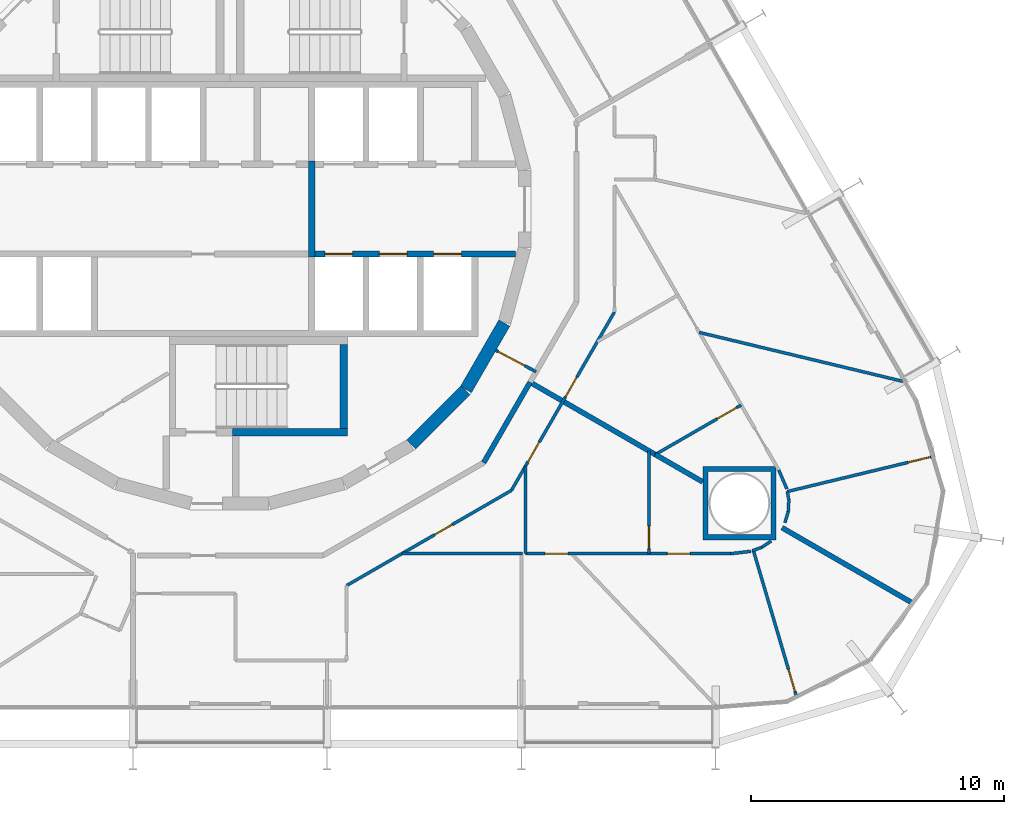
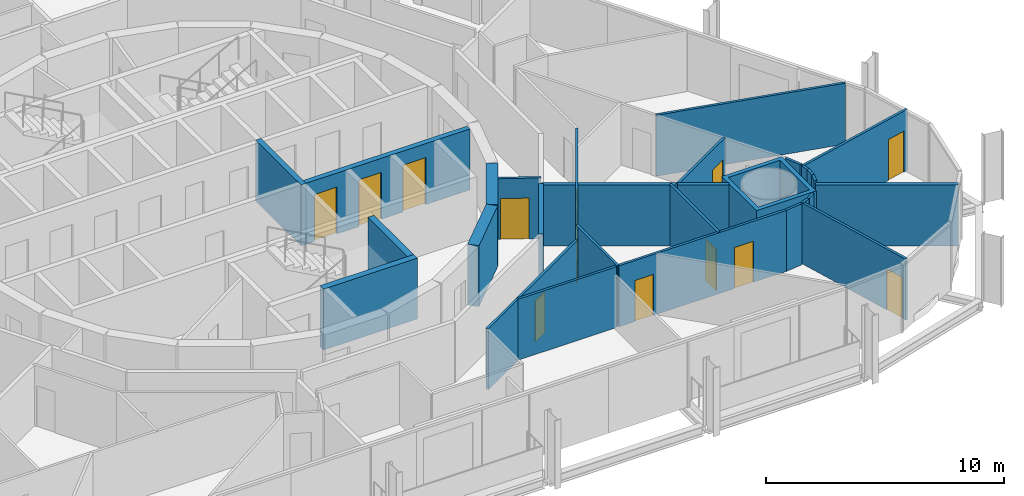
# One storey, part 16 of 21: 29 walls, 13 doors, 13 openings.
"""IFC4 building model written with IfcOpenShell, lengths in metres."""

from ifc_helpers import new_model, si_unit, direction, frame, frame_2d, origin, place, context, subcontext, project, spatial, polyline, rectangle, outline, extrude, material, layer, layer_set, type_object, element, fill, save


model = new_model("IFC4")

# Units and contexts
model_context = context("Model", 3, precision=1e-05, world=origin(), true_north=direction((0.0, 1.0)))
body_context = subcontext(model_context, "Body", "Model", "MODEL_VIEW")
ifc_project = project(units=[si_unit("LENGTHUNIT", "METRE"), si_unit("AREAUNIT", "SQUARE_METRE"), si_unit("VOLUMEUNIT", "CUBIC_METRE"), si_unit("PLANEANGLEUNIT", "RADIAN"), si_unit("MASSUNIT", "GRAM", prefix="KILO")], contexts=[model_context])

# Site, building, storey
site_placement = place(None, origin())
site = spatial("IfcSite", under=ifc_project, at=site_placement, CompositionType="ELEMENT")
building_placement = place(site_placement, origin())
building = spatial("IfcBuilding", under=site, at=building_placement, Name="Spindle Arch Residences", CompositionType="ELEMENT")
storey_placement = place(building_placement, frame((0.0, 0.0, 48.89990234375)))
storey = spatial("IfcBuildingStorey", under=building, at=storey_placement, Name="L10", CompositionType="ELEMENT", Elevation=48.89990234375)

# Walls
ifc_material_1 = material(Name="Concrete C50/60", Category="concrete")
ifc_layer_1 = layer(ifc_material_1, 0.5)
ifc_layer_set_1 = layer_set([ifc_layer_1], Name="Core outline wall 500")
wall_type_1 = type_object("IfcWallType", Name="Core outline wall 500", PredefinedType="SHEAR", material=ifc_layer_set_1)
wall_1_placement = place(storey_placement, frame((7.163818359375, -9.30810546875, 0.0), z_axis=(0.0, 0.0, 1.0), x_axis=(0.707106781187, 0.707106781187, 0.0)))
element("IfcWall", 1, at=wall_1_placement, inside=storey, type_object=wall_type_1, Name="Core outline wall 3", PredefinedType="SHEAR", context=body_context, shape_type="SweptSolid", body=[
    extrude(rectangle(XDim=3.032470703125, YDim=0.5, at=frame_2d((1.51611328125, 0.0))), origin(), (0.0, 0.0, 1.0), 3.1201171875),
])
wall_2_placement = place(storey_placement, frame((9.32861328125, -7.13671875, 0.0), z_axis=(0.0, 0.0, 1.0), x_axis=(0.500087131594, 0.865975092491, 0.0)))
element("IfcWall", 2, at=wall_2_placement, inside=storey, type_object=wall_type_1, Name="Core outline wall 4", PredefinedType="SHEAR", context=body_context, shape_type="SweptSolid", body=[
    extrude(rectangle(XDim=3.03271484375, YDim=0.5, at=frame_2d((1.516357421875, 0.0))), origin(), (0.0, 0.0, 1.0), 3.1201171875),
])

# Wall, opening, door
ifc_material_2 = material(Name="Plasterboard on steel studs", Category="steel")
ifc_layer_2 = layer(ifc_material_2, 0.1201171875)
ifc_layer_set_2 = layer_set([ifc_layer_2], Name="Corridor division wall 120")
wall_type_2 = type_object("IfcWallType", Name="Corridor division wall 120", PredefinedType="PARTITIONING", material=ifc_layer_set_2)
wall_3_placement = place(storey_placement, frame((10.510986328125, -5.5888671875, 0.0), z_axis=(0.0, 0.0, 1.0), x_axis=(0.88294043061, -0.469485032769, 0.0)))
wall_3 = element("IfcWall", 3, at=wall_3_placement, inside=storey, type_object=wall_type_2, Name="Corridor division wall R1B1-W002", PredefinedType="PARTITIONING", context=body_context, shape_type="SweptSolid", body=[
    extrude(rectangle(XDim=1.803955078125, YDim=0.1201171875, at=frame_2d((0.90185546875, 0.0))), origin(), (0.0, 0.0, 1.0), 3.1201171875),
])
opening_1_placement = place(wall_3_placement, frame((0.10009765625, 0.0, 0.0)))
opening_1 = element("IfcOpeningElement", 4, at=opening_1_placement, cuts=wall_3, Name="Opening R1B1-CD02", PredefinedType="OPENING", context=body_context, shape_type="SweptSolid", body=[
    extrude(rectangle(XDim=1.199951171875, YDim=2.10009765625, at=frame_2d((0.60009765625, 1.050048828125))), frame((0.0, 0.070068359375, 0.0), z_axis=(0.0, -1.0, 0.0), x_axis=(1.0, 0.0, 0.0)), (0.0, 0.0, 1.0), 0.14013671875),
])
ifc_material_3 = material(Name="Steel, fire-resisting door", Category="steel")
door_type_1 = type_object("IfcDoorType", Name="Corridor division door 1200x2100", OperationType="NOTDEFINED", PredefinedType="DOOR", material=ifc_material_3)
door_1_placement = place(opening_1_placement, origin())
door_1 = element("IfcDoor", 5, at=door_1_placement, inside=storey, type_object=door_type_1, Name="Corridor division door R1B1-CD02", OperationType="DOUBLE_DOOR_SINGLE_SWING", OverallHeight=2.10009765625, OverallWidth=1.199951171875, PredefinedType="DOOR", context=body_context, shape_type="SweptSolid", body=[
    extrude(rectangle(XDim=1.199951171875, YDim=2.10009765625, at=frame_2d((0.60009765625, 1.050048828125))), frame((0.0, 0.02490234375, 0.0), z_axis=(0.0, -1.0, 0.0), x_axis=(1.0, 0.0, 0.0)), (0.0, 0.0, 1.0), 0.050048828125),
])
fill(opening_1, door_1)

# Walls
ifc_material_4 = material(Name="Calcium silicate block, plastered")
ifc_layer_3 = layer(ifc_material_4, 0.199951171875)
ifc_layer_set_3 = layer_set([ifc_layer_3], Name="Corridor wall 200")
wall_type_3 = type_object("IfcWallType", Name="Corridor wall 200", PredefinedType="STANDARD", material=ifc_layer_set_3)
wall_4_placement = place(storey_placement, frame((10.029052734375, -10.029052734375, 0.0), z_axis=(0.0, 0.0, 1.0), x_axis=(0.50001606911, 0.866016126081, 0.0)))
element("IfcWall", 6, at=wall_4_placement, inside=storey, type_object=wall_type_3, Name="Corridor wall R1B1-W016", PredefinedType="STANDARD", context=body_context, shape_type="SweptSolid", body=[
    extrude(rectangle(XDim=3.6708984375, YDim=0.199951171875, at=frame_2d((1.83544921875, 0.0))), origin(), (0.0, 0.0, 1.0), 3.1201171875),
])
ifc_material_5 = material(Name="Concrete C40/50", Category="concrete")
ifc_layer_4 = layer(ifc_material_5, 0.25)
ifc_layer_set_4 = layer_set([ifc_layer_4], Name="Fire-lift lobby wall 250")
wall_type_4 = type_object("IfcWallType", Name="Fire-lift lobby wall 250", PredefinedType="SHEAR", material=ifc_layer_set_4)
wall_5_placement = place(storey_placement, frame((3.22509765625, -1.89990234375, 0.0), z_axis=(0.0, 0.0, 1.0), x_axis=(0.0, 1.0, 0.0)))
element("IfcWall", 7, at=wall_5_placement, inside=storey, type_object=wall_type_4, Name="Fire-fighting lobby partition", PredefinedType="SHEAR", context=body_context, shape_type="SweptSolid", body=[
    extrude(rectangle(XDim=3.7998046875, YDim=0.25, at=frame_2d((1.89990234375, 0.0))), origin(), (0.0, 0.0, 1.0), 3.1201171875),
])

# Wall, openings, doors
ifc_material_6 = material(Name="Concrete C50/60", Category="concrete")
ifc_layer_5 = layer(ifc_material_6, 0.25)
ifc_layer_set_5 = layer_set([ifc_layer_5], Name="Fire-lift shaft wall 250")
wall_type_5 = type_object("IfcWallType", Name="Fire-lift shaft wall 250", PredefinedType="SHEAR", material=ifc_layer_set_5)
wall_6_placement = place(storey_placement, frame((3.35009765625, -1.77490234375, 0.0), z_axis=(0.0, 0.0, 1.0), x_axis=(1.0, 0.0, 0.0)))
wall_6 = element("IfcWall", 8, at=wall_6_placement, inside=storey, type_object=wall_type_5, Name="Lift shaft front wall SE", PredefinedType="SHEAR", context=body_context, shape_type="SweptSolid", body=[
    extrude(rectangle(XDim=7.929931640625, YDim=0.25, at=frame_2d((3.96484375, 0.0))), origin(), (0.0, 0.0, 1.0), 3.1201171875),
])
opening_2_placement = place(wall_6_placement, frame((0.39990234375, 0.0, 0.0)))
opening_2 = element("IfcOpeningElement", 9, at=opening_2_placement, cuts=wall_6, Name="Opening R1B1-FLD01", PredefinedType="OPENING", context=body_context, shape_type="SweptSolid", body=[
    extrude(rectangle(XDim=1.10009765625, YDim=2.39990234375, at=frame_2d((0.550048828125, 1.199951171875))), frame((0.0, 0.135009765625, 0.0), z_axis=(0.0, -1.0, 0.0), x_axis=(1.0, 0.0, 0.0)), (0.0, 0.0, 1.0), 0.27001953125),
])
opening_3_placement = place(wall_6_placement, frame((2.550048828125, 0.0, 0.0)))
opening_3 = element("IfcOpeningElement", 10, at=opening_3_placement, cuts=wall_6, Name="Opening R1B1-FLD02", PredefinedType="OPENING", context=body_context, shape_type="SweptSolid", body=[
    extrude(rectangle(XDim=1.10009765625, YDim=2.39990234375, at=frame_2d((0.550048828125, 1.199951171875))), frame((0.0, 0.135009765625, 0.0), z_axis=(0.0, -1.0, 0.0), x_axis=(1.0, 0.0, 0.0)), (0.0, 0.0, 1.0), 0.27001953125),
])
opening_4_placement = place(wall_6_placement, frame((4.699951171875, 0.0, 0.0)))
opening_4 = element("IfcOpeningElement", 11, at=opening_4_placement, cuts=wall_6, Name="Opening R1B1-FLD03", PredefinedType="OPENING", context=body_context, shape_type="SweptSolid", body=[
    extrude(rectangle(XDim=1.10009765625, YDim=2.39990234375, at=frame_2d((0.550048828125, 1.199951171875))), frame((0.0, 0.135009765625, 0.0), z_axis=(0.0, -1.0, 0.0), x_axis=(1.0, 0.0, 0.0)), (0.0, 0.0, 1.0), 0.27001953125),
])
ifc_material_7 = material(Name="Steel, fire-resisting landing door", Category="steel")
door_type_2 = type_object("IfcDoorType", Name="Fire-fighting lift landing door 1100x2400", OperationType="DOUBLE_DOOR_SLIDING", PredefinedType="DOOR", material=ifc_material_7)
door_2_placement = place(opening_2_placement, origin())
door_2 = element("IfcDoor", 12, at=door_2_placement, inside=storey, type_object=door_type_2, Name="Fire-fighting lift landing door R1B1-FLD01", OperationType="DOUBLE_DOOR_SLIDING", OverallHeight=2.39990234375, OverallWidth=1.10009765625, PredefinedType="DOOR", context=body_context, shape_type="SweptSolid", body=[
    extrude(rectangle(XDim=1.10009765625, YDim=2.39990234375, at=frame_2d((0.550048828125, 1.199951171875))), frame((0.0, 0.02490234375, 0.0), z_axis=(0.0, -1.0, 0.0), x_axis=(1.0, 0.0, 0.0)), (0.0, 0.0, 1.0), 0.050048828125),
])
fill(opening_2, door_2)
door_3_placement = place(opening_3_placement, origin())
door_3 = element("IfcDoor", 13, at=door_3_placement, inside=storey, type_object=door_type_2, Name="Fire-fighting lift landing door R1B1-FLD02", OperationType="DOUBLE_DOOR_SLIDING", OverallHeight=2.39990234375, OverallWidth=1.10009765625, PredefinedType="DOOR", context=body_context, shape_type="SweptSolid", body=[
    extrude(rectangle(XDim=1.10009765625, YDim=2.39990234375, at=frame_2d((0.550048828125, 1.199951171875))), frame((0.0, 0.02490234375, 0.0), z_axis=(0.0, -1.0, 0.0), x_axis=(1.0, 0.0, 0.0)), (0.0, 0.0, 1.0), 0.050048828125),
])
fill(opening_3, door_3)
door_4_placement = place(opening_4_placement, origin())
door_4 = element("IfcDoor", 14, at=door_4_placement, inside=storey, type_object=door_type_2, Name="Fire-fighting lift landing door R1B1-FLD03", OperationType="DOUBLE_DOOR_SLIDING", OverallHeight=2.39990234375, OverallWidth=1.10009765625, PredefinedType="DOOR", context=body_context, shape_type="SweptSolid", body=[
    extrude(rectangle(XDim=1.10009765625, YDim=2.39990234375, at=frame_2d((0.550048828125, 1.199951171875))), frame((0.0, 0.02490234375, 0.0), z_axis=(0.0, -1.0, 0.0), x_axis=(1.0, 0.0, 0.0)), (0.0, 0.0, 1.0), 0.050048828125),
])
fill(opening_4, door_4)

# Wall, opening, door
ifc_material_8 = material(Name="Plasterboard on steel studs", Category="steel")
ifc_layer_6 = layer(ifc_material_8, 0.1201171875)
ifc_layer_set_6 = layer_set([ifc_layer_6], Name="Flat partition 120")
wall_type_6 = type_object("IfcWallType", Name="Flat partition 120", PredefinedType="PARTITIONING", material=ifc_layer_set_6)
wall_7_placement = place(storey_placement, frame((4.612548828125, -14.888427734375, 0.0), z_axis=(0.0, 0.0, 1.0), x_axis=(0.866025608725, 0.499999645032, 0.0)))
wall_7 = element("IfcWall", 15, at=wall_7_placement, inside=storey, type_object=wall_type_6, Name="Flat partition R1B1-W098", PredefinedType="PARTITIONING", context=body_context, shape_type="SweptSolid", body=[
    extrude(rectangle(XDim=7.5224609375, YDim=0.1201171875, at=frame_2d((3.76123046875, 0.0))), origin(), (0.0, 0.0, 1.0), 3.1201171875),
])
opening_5_placement = place(wall_7_placement, frame((4.01708984375, 0.0, 0.0)))
opening_5 = element("IfcOpeningElement", 16, at=opening_5_placement, cuts=wall_7, Name="Opening R1B1-BD05", PredefinedType="OPENING", context=body_context, shape_type="SweptSolid", body=[
    extrude(rectangle(XDim=0.800048828125, YDim=2.10009765625, at=frame_2d((0.39990234375, 1.050048828125))), frame((0.0, 0.070068359375, 0.0), z_axis=(0.0, -1.0, 0.0), x_axis=(1.0, 0.0, 0.0)), (0.0, 0.0, 1.0), 0.14013671875),
])
ifc_material_9 = material(Name="Timber door set", Category="wood")
door_type_3 = type_object("IfcDoorType", Name="Bathroom door 800x2100", OperationType="NOTDEFINED", PredefinedType="DOOR", material=ifc_material_9)
door_5_placement = place(opening_5_placement, origin())
door_5 = element("IfcDoor", 17, at=door_5_placement, inside=storey, type_object=door_type_3, Name="Bathroom door R1B1-BD05", OperationType="SINGLE_SWING_RIGHT", OverallHeight=2.10009765625, OverallWidth=0.800048828125, PredefinedType="DOOR", context=body_context, shape_type="SweptSolid", body=[
    extrude(rectangle(XDim=0.800048828125, YDim=2.10009765625, at=frame_2d((0.39990234375, 1.050048828125))), frame((0.0, 0.02490234375, 0.0), z_axis=(0.0, -1.0, 0.0), x_axis=(1.0, 0.0, 0.0)), (0.0, 0.0, 1.0), 0.050048828125),
])
fill(opening_5, door_5)

# Wall, openings, doors
wall_8_placement = place(storey_placement, frame((11.127197265625, -11.127197265625, 0.0), z_axis=(0.0, 0.0, 1.0), x_axis=(0.499987950692, 0.866032360344, 0.0)))
wall_8 = element("IfcWall", 18, at=wall_8_placement, inside=storey, type_object=wall_type_6, Name="Flat partition R1B1-W099", PredefinedType="PARTITIONING", context=body_context, shape_type="SweptSolid", body=[
    extrude(rectangle(XDim=8.145751953125, YDim=0.1201171875, at=frame_2d((4.07275390625, 0.0))), origin(), (0.0, 0.0, 1.0), 3.1201171875),
])
opening_6_placement = place(wall_8_placement, frame((1.302734375, 0.0, 0.0)))
opening_6 = element("IfcOpeningElement", 19, at=opening_6_placement, cuts=wall_8, Name="Opening R1B1-ID26", PredefinedType="OPENING", context=body_context, shape_type="SweptSolid", body=[
    extrude(rectangle(XDim=0.89990234375, YDim=2.10009765625, at=frame_2d((0.449951171875, 1.050048828125))), frame((0.0, 0.070068359375, 0.0), z_axis=(0.0, -1.0, 0.0), x_axis=(1.0, 0.0, 0.0)), (0.0, 0.0, 1.0), 0.14013671875),
])
opening_7_placement = place(wall_8_placement, frame((4.272705078125, 0.0, 0.0)))
opening_7 = element("IfcOpeningElement", 20, at=opening_7_placement, cuts=wall_8, Name="Opening R1B1-ID32", PredefinedType="OPENING", context=body_context, shape_type="SweptSolid", body=[
    extrude(rectangle(XDim=0.89990234375, YDim=2.10009765625, at=frame_2d((0.449951171875, 1.050048828125))), frame((0.0, 0.070068359375, 0.0), z_axis=(0.0, -1.0, 0.0), x_axis=(1.0, 0.0, 0.0)), (0.0, 0.0, 1.0), 0.14013671875),
])
ifc_material_10 = material(Name="Timber door set", Category="wood")
door_type_4 = type_object("IfcDoorType", Name="Room door 900x2100", OperationType="NOTDEFINED", PredefinedType="DOOR", material=ifc_material_10)
door_6_placement = place(opening_6_placement, origin())
door_6 = element("IfcDoor", 21, at=door_6_placement, inside=storey, type_object=door_type_4, Name="Room door R1B1-ID26", OperationType="SINGLE_SWING_RIGHT", OverallHeight=2.10009765625, OverallWidth=0.89990234375, PredefinedType="DOOR", context=body_context, shape_type="SweptSolid", body=[
    extrude(rectangle(XDim=0.89990234375, YDim=2.10009765625, at=frame_2d((0.449951171875, 1.050048828125))), frame((0.0, 0.02490234375, 0.0), z_axis=(0.0, -1.0, 0.0), x_axis=(1.0, 0.0, 0.0)), (0.0, 0.0, 1.0), 0.050048828125),
])
fill(opening_6, door_6)
door_7_placement = place(opening_7_placement, origin())
door_7 = element("IfcDoor", 22, at=door_7_placement, inside=storey, type_object=door_type_4, Name="Room door R1B1-ID32", OperationType="SINGLE_SWING_LEFT", OverallHeight=2.10009765625, OverallWidth=0.89990234375, PredefinedType="DOOR", context=body_context, shape_type="SweptSolid", body=[
    extrude(rectangle(XDim=0.89990234375, YDim=2.10009765625, at=frame_2d((0.449951171875, 1.050048828125))), frame((0.0, 0.02490234375, 0.0), z_axis=(0.0, -1.0, 0.0), x_axis=(1.0, 0.0, 0.0)), (0.0, 0.0, 1.0), 0.050048828125),
])
fill(opening_7, door_7)

# Walls
wall_9_placement = place(storey_placement, frame((11.56005859375, -13.6298828125, 0.0), z_axis=(0.0, 0.0, 1.0), x_axis=(-1.0, 0.0, 0.0)))
element("IfcWall", 23, at=wall_9_placement, inside=storey, type_object=wall_type_6, Name="Flat partition R1B1-W101", PredefinedType="PARTITIONING", context=body_context, shape_type="SweptSolid", body=[
    extrude(rectangle(XDim=4.767822265625, YDim=0.1201171875, at=frame_2d((2.3837890625, 0.0))), origin(), (0.0, 0.0, 1.0), 3.1201171875),
])
wall_10_placement = place(storey_placement, frame((11.678466796875, -13.6298828125, 0.0), z_axis=(0.0, 0.0, 1.0), x_axis=(0.0, 1.0, 0.0)))
element("IfcWall", 24, at=wall_10_placement, inside=storey, type_object=wall_type_6, Name="Flat partition R1B1-W103", PredefinedType="PARTITIONING", context=body_context, shape_type="SweptSolid", body=[
    extrude(rectangle(XDim=3.457763671875, YDim=0.1201171875, at=frame_2d((1.72900390625, 0.0))), origin(), (0.0, 0.0, 1.0), 3.1201171875),
])

# Wall, openings, doors
wall_11_placement = place(storey_placement, frame((19.794189453125, -13.6298828125, 0.0), z_axis=(0.0, 0.0, 1.0), x_axis=(-1.0, 0.0, 0.0)))
wall_11 = element("IfcWall", 25, at=wall_11_placement, inside=storey, type_object=wall_type_6, Name="Flat partition R1B1-W105", PredefinedType="PARTITIONING", context=body_context, shape_type="SweptSolid", body=[
    extrude(rectangle(XDim=8.11572265625, YDim=0.1201171875, at=frame_2d((4.057861328125, 0.0))), origin(), (0.0, 0.0, 1.0), 3.1201171875),
])
opening_8_placement = place(wall_11_placement, frame((6.435546875, 0.0, 0.0)))
opening_8 = element("IfcOpeningElement", 26, at=opening_8_placement, cuts=wall_11, Name="Opening R1B1-ID27", PredefinedType="OPENING", context=body_context, shape_type="SweptSolid", body=[
    extrude(rectangle(XDim=0.89990234375, YDim=2.10009765625, at=frame_2d((0.449951171875, 1.050048828125))), frame((0.0, 0.070068359375, 0.0), z_axis=(0.0, -1.0, 0.0), x_axis=(1.0, 0.0, 0.0)), (0.0, 0.0, 1.0), 0.14013671875),
])
opening_9_placement = place(wall_11_placement, frame((1.60009765625, 0.0, 0.0)))
opening_9 = element("IfcOpeningElement", 27, at=opening_9_placement, cuts=wall_11, Name="Opening R1B1-ID29", PredefinedType="OPENING", context=body_context, shape_type="SweptSolid", body=[
    extrude(rectangle(XDim=0.89990234375, YDim=2.10009765625, at=frame_2d((0.449951171875, 1.050048828125))), frame((0.0, 0.070068359375, 0.0), z_axis=(0.0, -1.0, 0.0), x_axis=(1.0, 0.0, 0.0)), (0.0, 0.0, 1.0), 0.14013671875),
])
door_8_placement = place(opening_8_placement, origin())
door_8 = element("IfcDoor", 28, at=door_8_placement, inside=storey, type_object=door_type_4, Name="Room door R1B1-ID27", OperationType="SINGLE_SWING_RIGHT", OverallHeight=2.10009765625, OverallWidth=0.89990234375, PredefinedType="DOOR", context=body_context, shape_type="SweptSolid", body=[
    extrude(rectangle(XDim=0.89990234375, YDim=2.10009765625, at=frame_2d((0.449951171875, 1.050048828125))), frame((0.0, 0.02490234375, 0.0), z_axis=(0.0, -1.0, 0.0), x_axis=(1.0, 0.0, 0.0)), (0.0, 0.0, 1.0), 0.050048828125),
])
fill(opening_8, door_8)
door_9_placement = place(opening_9_placement, origin())
door_9 = element("IfcDoor", 29, at=door_9_placement, inside=storey, type_object=door_type_4, Name="Room door R1B1-ID29", OperationType="SINGLE_SWING_RIGHT", OverallHeight=2.10009765625, OverallWidth=0.89990234375, PredefinedType="DOOR", context=body_context, shape_type="SweptSolid", body=[
    extrude(rectangle(XDim=0.89990234375, YDim=2.10009765625, at=frame_2d((0.449951171875, 1.050048828125))), frame((0.0, 0.02490234375, 0.0), z_axis=(0.0, -1.0, 0.0), x_axis=(1.0, 0.0, 0.0)), (0.0, 0.0, 1.0), 0.050048828125),
])
fill(opening_9, door_9)

# Wall, opening, door
wall_12_placement = place(storey_placement, frame((22.395751953125, -19.26611328125, 0.0), z_axis=(0.0, 0.0, 1.0), x_axis=(-0.282896205585, 0.959150528783, 0.0)))
wall_12 = element("IfcWall", 30, at=wall_12_placement, inside=storey, type_object=wall_type_6, Name="Flat partition R1B1-W106", PredefinedType="PARTITIONING", context=body_context, shape_type="SweptSolid", body=[
    extrude(rectangle(XDim=6.01171875, YDim=0.1201171875, at=frame_2d((3.005859375, 0.0))), origin(), (0.0, 0.0, 1.0), 3.1201171875),
])
opening_10_placement = place(wall_12_placement, frame((0.199951171875, 0.0, 0.0)))
opening_10 = element("IfcOpeningElement", 31, at=opening_10_placement, cuts=wall_12, Name="Opening R1B1-ID30", PredefinedType="OPENING", context=body_context, shape_type="SweptSolid", body=[
    extrude(rectangle(XDim=0.89990234375, YDim=2.10009765625, at=frame_2d((0.449951171875, 1.050048828125))), frame((0.0, 0.070068359375, 0.0), z_axis=(0.0, -1.0, 0.0), x_axis=(1.0, 0.0, 0.0)), (0.0, 0.0, 1.0), 0.14013671875),
])
door_10_placement = place(opening_10_placement, origin())
door_10 = element("IfcDoor", 32, at=door_10_placement, inside=storey, type_object=door_type_4, Name="Room door R1B1-ID30", OperationType="SINGLE_SWING_RIGHT", OverallHeight=2.10009765625, OverallWidth=0.89990234375, PredefinedType="DOOR", context=body_context, shape_type="SweptSolid", body=[
    extrude(rectangle(XDim=0.89990234375, YDim=2.10009765625, at=frame_2d((0.449951171875, 1.050048828125))), frame((0.0, 0.02490234375, 0.0), z_axis=(0.0, -1.0, 0.0), x_axis=(1.0, 0.0, 0.0)), (0.0, 0.0, 1.0), 0.050048828125),
])
fill(opening_10, door_10)

# Wall
wall_13_placement = place(storey_placement, frame((20.595458984375, -13.536376953125, 0.0), z_axis=(0.0, 0.0, 1.0), x_axis=(-0.993259655268, -0.115910556968, 0.0)))
element("IfcWall", 33, at=wall_13_placement, inside=storey, type_object=wall_type_6, Name="Flat partition R1B1-W107", PredefinedType="PARTITIONING", context=body_context, shape_type="SweptSolid", body=[
    extrude(rectangle(XDim=0.806640625, YDim=0.1201171875, at=frame_2d((0.4033203125, 0.0))), origin(), (0.0, 0.0, 1.0), 3.1201171875),
])

# Wall, opening, door
wall_14_placement = place(storey_placement, frame((16.564697265625, -13.6298828125, 0.0), z_axis=(0.0, 0.0, 1.0), x_axis=(0.0, 1.0, 0.0)))
wall_14 = element("IfcWall", 34, at=wall_14_placement, inside=storey, type_object=wall_type_6, Name="Flat partition R1B1-W108", PredefinedType="PARTITIONING", context=body_context, shape_type="SweptSolid", body=[
    extrude(rectangle(XDim=4.066162109375, YDim=0.1201171875, at=frame_2d((2.033203125, 0.0))), origin(), (0.0, 0.0, 1.0), 3.1201171875),
])
opening_11_placement = place(wall_14_placement, frame((0.199951171875, 0.0, 0.0)))
opening_11 = element("IfcOpeningElement", 35, at=opening_11_placement, cuts=wall_14, Name="Opening R1B1-ID28", PredefinedType="OPENING", context=body_context, shape_type="SweptSolid", body=[
    extrude(rectangle(XDim=0.89990234375, YDim=2.10009765625, at=frame_2d((0.449951171875, 1.050048828125))), frame((0.0, 0.070068359375, 0.0), z_axis=(0.0, -1.0, 0.0), x_axis=(1.0, 0.0, 0.0)), (0.0, 0.0, 1.0), 0.14013671875),
])
door_11_placement = place(opening_11_placement, origin())
door_11 = element("IfcDoor", 36, at=door_11_placement, inside=storey, type_object=door_type_4, Name="Room door R1B1-ID28", OperationType="SINGLE_SWING_RIGHT", OverallHeight=2.10009765625, OverallWidth=0.89990234375, PredefinedType="DOOR", context=body_context, shape_type="SweptSolid", body=[
    extrude(rectangle(XDim=0.89990234375, YDim=2.10009765625, at=frame_2d((0.449951171875, 1.050048828125))), frame((0.0, 0.02490234375, 0.0), z_axis=(0.0, -1.0, 0.0), x_axis=(1.0, 0.0, 0.0)), (0.0, 0.0, 1.0), 0.050048828125),
])
fill(opening_11, door_11)

# Walls
wall_15_placement = place(storey_placement, frame((21.40283203125, -13.130615234375, 0.0), z_axis=(0.0, 0.0, 1.0), x_axis=(-0.835339231854, -0.549734815821, 0.0)))
element("IfcWall", 37, at=wall_15_placement, inside=storey, type_object=wall_type_6, Name="Flat partition R1B1-W109", PredefinedType="PARTITIONING", context=body_context, shape_type="SweptSolid", body=[
    extrude(rectangle(XDim=0.454833984375, YDim=0.1201171875, at=frame_2d((0.2275390625, 0.0))), origin(), (0.0, 0.0, 1.0), 3.1201171875),
])
wall_16_placement = place(storey_placement, frame((21.02294921875, -13.380615234375, 0.0), z_axis=(0.0, 0.0, 1.0), x_axis=(-0.939665068469, -0.34209583321, 0.0)))
element("IfcWall", 38, at=wall_16_placement, inside=storey, type_object=wall_type_6, Name="Flat partition R1B1-W110", PredefinedType="PARTITIONING", context=body_context, shape_type="SweptSolid", body=[
    extrude(rectangle(XDim=0.388916015625, YDim=0.1201171875, at=frame_2d((0.1943359375, 0.0))), origin(), (0.0, 0.0, 1.0), 3.1201171875),
])
wall_17_placement = place(storey_placement, frame((21.9423828125, -12.40576171875, 0.0), z_axis=(0.0, 0.0, 1.0), x_axis=(0.287101711529, 0.957900102953, 0.0)))
element("IfcWall", 39, at=wall_17_placement, inside=storey, type_object=wall_type_6, Name="Flat partition R1B1-W117", PredefinedType="PARTITIONING", context=body_context, shape_type="SweptSolid", body=[
    extrude(rectangle(XDim=0.454833984375, YDim=0.1201171875, at=frame_2d((0.2275390625, 0.0))), origin(), (0.0, 0.0, 1.0), 3.1201171875),
])
wall_18_placement = place(storey_placement, frame((22.072998046875, -11.969970703125, 0.0), z_axis=(0.0, 0.0, 1.0), x_axis=(0.058533144572, 0.998285465679, 0.0)))
element("IfcWall", 40, at=wall_18_placement, inside=storey, type_object=wall_type_6, Name="Flat partition R1B1-W118", PredefinedType="PARTITIONING", context=body_context, shape_type="SweptSolid", body=[
    extrude(rectangle(XDim=0.45458984375, YDim=0.1201171875, at=frame_2d((0.227294921875, 0.0))), origin(), (0.0, 0.0, 1.0), 3.1201171875),
])
wall_19_placement = place(storey_placement, frame((22.099609375, -11.51611328125, 0.0), z_axis=(0.0, 0.0, 1.0), x_axis=(-0.174264410128, 0.984698895786, 0.0)))
element("IfcWall", 41, at=wall_19_placement, inside=storey, type_object=wall_type_6, Name="Flat partition R1B1-W119", PredefinedType="PARTITIONING", context=body_context, shape_type="SweptSolid", body=[
    extrude(rectangle(XDim=0.348876953125, YDim=0.1201171875, at=frame_2d((0.17431640625, 0.0))), origin(), (0.0, 0.0, 1.0), 3.1201171875),
])

# Wall, opening, door
wall_20_placement = place(storey_placement, frame((20.212158203125, -7.748779296875, 0.0), z_axis=(0.0, 0.0, 1.0), x_axis=(-0.86604663799, -0.499963219473, 0.0)))
wall_20 = element("IfcWall", 42, at=wall_20_placement, inside=storey, type_object=wall_type_6, Name="Flat partition R1B1-W120", PredefinedType="PARTITIONING", context=body_context, shape_type="SweptSolid", body=[
    extrude(rectangle(XDim=3.920654296875, YDim=0.1201171875, at=frame_2d((1.96044921875, 0.0))), origin(), (0.0, 0.0, 1.0), 3.1201171875),
])
opening_12_placement = place(wall_20_placement, frame((0.199951171875, 0.0, 0.0)))
opening_12 = element("IfcOpeningElement", 43, at=opening_12_placement, cuts=wall_20, Name="Opening R1B1-ID34", PredefinedType="OPENING", context=body_context, shape_type="SweptSolid", body=[
    extrude(rectangle(XDim=0.89990234375, YDim=2.10009765625, at=frame_2d((0.449951171875, 1.050048828125))), frame((0.0, 0.070068359375, 0.0), z_axis=(0.0, -1.0, 0.0), x_axis=(1.0, 0.0, 0.0)), (0.0, 0.0, 1.0), 0.14013671875),
])
door_12_placement = place(opening_12_placement, origin())
door_12 = element("IfcDoor", 44, at=door_12_placement, inside=storey, type_object=door_type_4, Name="Room door R1B1-ID34", OperationType="SINGLE_SWING_LEFT", OverallHeight=2.10009765625, OverallWidth=0.89990234375, PredefinedType="DOOR", context=body_context, shape_type="SweptSolid", body=[
    extrude(rectangle(XDim=0.89990234375, YDim=2.10009765625, at=frame_2d((0.449951171875, 1.050048828125))), frame((0.0, 0.02490234375, 0.0), z_axis=(0.0, -1.0, 0.0), x_axis=(1.0, 0.0, 0.0)), (0.0, 0.0, 1.0), 0.050048828125),
])
fill(opening_12, door_12)

# Wall
wall_21_placement = place(storey_placement, frame((22.0205078125, -11.068115234375, 0.0), z_axis=(0.0, 0.0, 1.0), x_axis=(-0.396036092975, 0.918234944369, 0.0)))
element("IfcWall", 45, at=wall_21_placement, inside=storey, type_object=wall_type_6, Name="Flat partition R1B1-W121", PredefinedType="PARTITIONING", context=body_context, shape_type="SweptSolid", body=[
    extrude(rectangle(XDim=0.806884765625, YDim=0.1201171875, at=frame_2d((0.4033203125, 0.0))), origin(), (0.0, 0.0, 1.0), 3.1201171875),
])

# Wall, opening, door
wall_22_placement = place(storey_placement, frame((27.8828125, -9.76220703125, 0.0), z_axis=(0.0, 0.0, 1.0), x_axis=(-0.972090512558, -0.234606128213, 0.0)))
wall_22 = element("IfcWall", 46, at=wall_22_placement, inside=storey, type_object=wall_type_6, Name="Flat partition R1B1-W123", PredefinedType="PARTITIONING", context=body_context, shape_type="SweptSolid", body=[
    extrude(rectangle(XDim=6.01171875, YDim=0.1201171875, at=frame_2d((3.005859375, 0.0))), origin(), (0.0, 0.0, 1.0), 3.1201171875),
])
opening_13_placement = place(wall_22_placement, frame((0.199951171875, 0.0, 0.0)))
opening_13 = element("IfcOpeningElement", 47, at=opening_13_placement, cuts=wall_22, Name="Opening R1B1-ID36", PredefinedType="OPENING", context=body_context, shape_type="SweptSolid", body=[
    extrude(rectangle(XDim=0.89990234375, YDim=2.10009765625, at=frame_2d((0.449951171875, 1.050048828125))), frame((0.0, 0.070068359375, 0.0), z_axis=(0.0, -1.0, 0.0), x_axis=(1.0, 0.0, 0.0)), (0.0, 0.0, 1.0), 0.14013671875),
])
door_13_placement = place(opening_13_placement, origin())
door_13 = element("IfcDoor", 48, at=door_13_placement, inside=storey, type_object=door_type_4, Name="Room door R1B1-ID36", OperationType="SINGLE_SWING_LEFT", OverallHeight=2.10009765625, OverallWidth=0.89990234375, PredefinedType="DOOR", context=body_context, shape_type="SweptSolid", body=[
    extrude(rectangle(XDim=0.89990234375, YDim=2.10009765625, at=frame_2d((0.449951171875, 1.050048828125))), frame((0.0, 0.02490234375, 0.0), z_axis=(0.0, -1.0, 0.0), x_axis=(1.0, 0.0, 0.0)), (0.0, 0.0, 1.0), 0.050048828125),
])
fill(opening_13, door_13)

# Walls
wall_23_placement = place(storey_placement, frame((26.60009765625, -6.81298828125, 0.0), z_axis=(0.0, 0.0, 1.0), x_axis=(-0.972306888212, 0.233707755831, 0.0)))
element("IfcWall", 49, at=wall_23_placement, inside=storey, type_object=wall_type_6, Name="Flat partition R1B1-W125", PredefinedType="PARTITIONING", context=body_context, shape_type="SweptSolid", body=[
    extrude(rectangle(XDim=8.2734375, YDim=0.1201171875, at=frame_2d((4.13671875, 0.0))), origin(), (0.0, 0.0, 1.0), 3.1201171875),
])
ifc_material_11 = material(Name="Calcium silicate block, plastered")
ifc_layer_7 = layer(ifc_material_11, 0.199951171875)
ifc_layer_set_7 = layer_set([ifc_layer_7], Name="Flat party wall 200")
wall_type_7 = type_object("IfcWallType", Name="Flat party wall 200", PredefinedType="STANDARD", material=ifc_layer_set_7)
wall_24_placement = place(storey_placement, frame((16.816650390625, -9.708984375, 0.0), z_axis=(0.0, 0.0, 1.0), x_axis=(-0.86604338933, 0.499968846828, 0.0)))
element("IfcWall", 50, at=wall_24_placement, inside=storey, type_object=wall_type_7, Name="Flat party wall R1B1-W026", PredefinedType="STANDARD", context=body_context, shape_type="SweptSolid", body=[
    extrude(rectangle(XDim=5.718017578125, YDim=0.199951171875, at=frame_2d((2.85888671875, 0.0))), origin(), (0.0, 0.0, 1.0), 3.1201171875),
])
wall_25_placement = place(storey_placement, frame((27.02490234375, -15.602783203125, 0.0), z_axis=(0.0, 0.0, 1.0), x_axis=(-0.866020924479, 0.500007758305, 0.0)))
element("IfcWall", 51, at=wall_25_placement, inside=storey, type_object=wall_type_7, Name="Flat party wall R1B1-W027", PredefinedType="STANDARD", context=body_context, shape_type="SweptSolid", body=[
    extrude(rectangle(XDim=6.0, YDim=0.199951171875, at=frame_2d((3.0, 0.0))), origin(), (0.0, 0.0, 1.0), 3.1201171875),
])
wall_26_placement = place(storey_placement, frame((18.693603515625, -10.792724609375, 0.0), z_axis=(0.0, 0.0, 1.0), x_axis=(-0.866009251978, 0.500027974705, 0.0)))
element("IfcWall", 52, at=wall_26_placement, inside=storey, type_object=wall_type_7, Name="Flat party wall R1B1-W028", PredefinedType="STANDARD", context=body_context, shape_type="SweptSolid", body=[
    extrude(rectangle(XDim=2.16748046875, YDim=0.199951171875, at=frame_2d((1.083740234375, 0.0))), origin(), (0.0, 0.0, 1.0), 3.1201171875),
])
ifc_material_12 = material(Name="Calcium silicate block, plastered")
ifc_layer_8 = layer(ifc_material_12, 0.199951171875)
ifc_layer_set_8 = layer_set([ifc_layer_8], Name="Mega-column casing wall 200")
wall_type_8 = type_object("IfcWallType", Name="Mega-column casing wall 200", PredefinedType="STANDARD", material=ifc_layer_set_8)
wall_27_placement = place(storey_placement, origin())
element("IfcWall", 53, at=wall_27_placement, inside=storey, type_object=wall_type_8, Name="Mega-column casing wall R1B1-WC03", PredefinedType="STANDARD", context=body_context, shape_type="SweptSolid", body=[
    extrude(outline(polyline([(21.593505859375, -10.179931640625), (21.593505859375, -13.079833984375), (18.693603515625, -13.079833984375), (18.693603515625, -10.179931640625), (21.593505859375, -10.179931640625)]), holes=[polyline([(18.8935546875, -12.8798828125), (21.3935546875, -12.8798828125), (21.3935546875, -10.3798828125), (18.8935546875, -10.3798828125), (18.8935546875, -12.8798828125)])]), origin(), (0.0, 0.0, 1.0), 3.1201171875),
])
ifc_material_13 = material(Name="Concrete C50/60", Category="concrete")
ifc_layer_9 = layer(ifc_material_13, 0.300048828125)
ifc_layer_set_9 = layer_set([ifc_layer_9], Name="Stair enclosure wall 300")
wall_type_9 = type_object("IfcWallType", Name="Stair enclosure wall 300", PredefinedType="SHEAR", material=ifc_layer_set_9)
wall_28_placement = place(storey_placement, frame((4.5, -8.669921875, 0.0), z_axis=(0.0, 0.0, 1.0), x_axis=(0.0, 1.0, 0.0)))
element("IfcWall", 54, at=wall_28_placement, inside=storey, type_object=wall_type_9, Name="Stair ST-3 enclosure wall E", PredefinedType="SHEAR", context=body_context, shape_type="SweptSolid", body=[
    extrude(rectangle(XDim=3.31982421875, YDim=0.300048828125, at=frame_2d((1.659912109375, 0.0))), origin(), (0.0, 0.0, 1.0), 3.1201171875),
])
wall_29_placement = place(storey_placement, frame((0.10009765625, -8.820068359375, 0.0), z_axis=(0.0, 0.0, 1.0), x_axis=(1.0, 0.0, 0.0)))
element("IfcWall", 55, at=wall_29_placement, inside=storey, type_object=wall_type_9, Name="Stair ST-3 enclosure wall S", PredefinedType="SHEAR", context=body_context, shape_type="SweptSolid", body=[
    extrude(rectangle(XDim=4.5498046875, YDim=0.300048828125, at=frame_2d((2.27490234375, 0.0))), origin(), (0.0, 0.0, 1.0), 3.1201171875),
])

save(model, "model.ifc")
